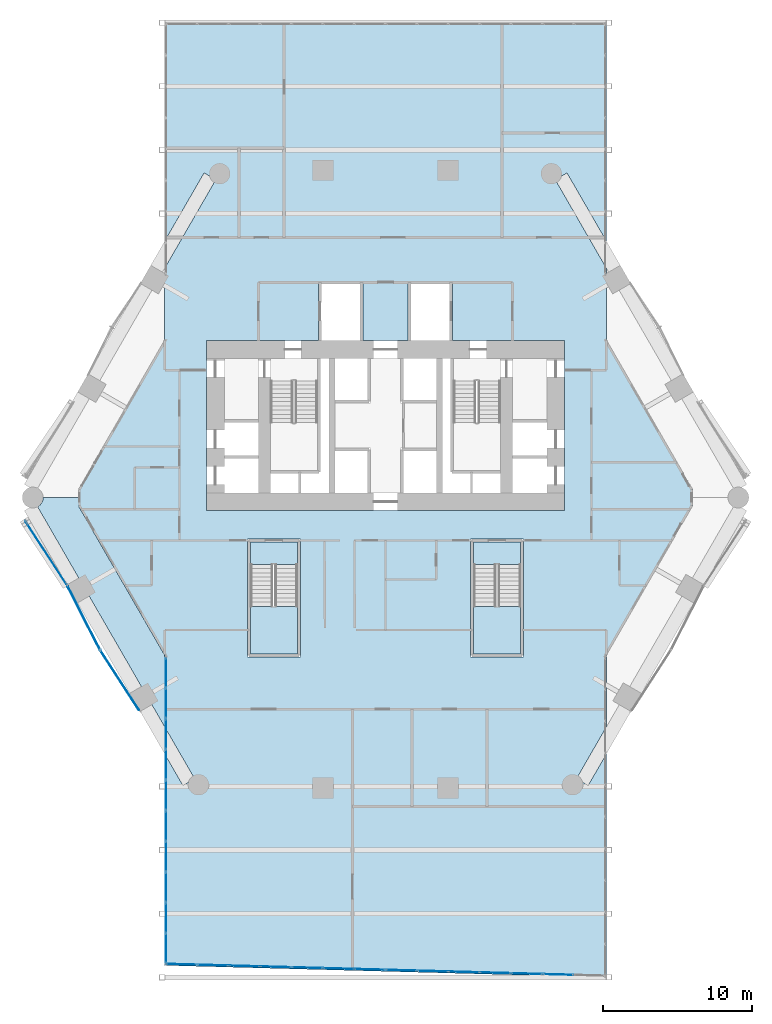
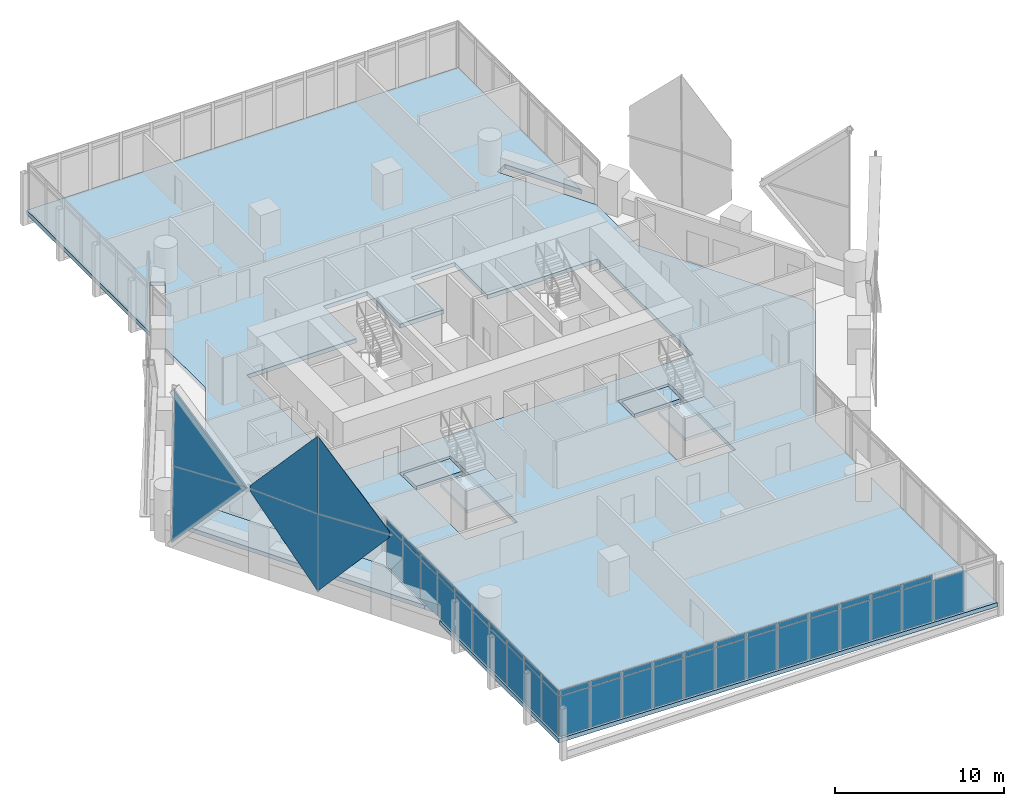
# One storey, part 23 of 35: 51 plates, 6 slabs, 8 elements without a shape of their own.
"""IFC4 building model written with IfcOpenShell, lengths in metres."""

from ifc_helpers import new_model, si_unit, direction, frame, origin, origin_2d, place, context, subcontext, project, spatial, polyline, rectangle, outline, extrude, material, layer, layer_set, type_object, element, aggregate, save


model = new_model("IFC4")

# Units and contexts
model_context = context("Model", 3, precision=1e-05, world=origin(), true_north=direction((0.0, 1.0)))
body_context = subcontext(model_context, "Body", "Model", "MODEL_VIEW")
ifc_project = project(units=[si_unit("LENGTHUNIT", "METRE"), si_unit("AREAUNIT", "SQUARE_METRE"), si_unit("VOLUMEUNIT", "CUBIC_METRE"), si_unit("PLANEANGLEUNIT", "RADIAN"), si_unit("MASSUNIT", "GRAM", prefix="KILO")], contexts=[model_context])

# Site, building, storey
site_placement = place(None, origin())
site = spatial("IfcSite", under=ifc_project, at=site_placement, CompositionType="ELEMENT")
building_placement = place(site_placement, origin())
building = spatial("IfcBuilding", under=site, at=building_placement, Name="Ostrander Bayou Hotel Tower", CompositionType="ELEMENT")
storey_placement = place(building_placement, frame((0.0, 0.0, 69.25)))
storey = spatial("IfcBuildingStorey", under=building, at=storey_placement, Name="L17", CompositionType="ELEMENT", Elevation=69.25)

# Curtain wall, plates
ifc_material_1 = material(Name="Aluminium and clear glass", Category="aluminium")
curtain_wall_type_1 = type_object("IfcCurtainWallType", Name="CW-BAR glazed wall", PredefinedType="NOTDEFINED", material=ifc_material_1)
curtain_wall_1_placement = place(storey_placement, origin())
curtain_wall_1 = element("IfcCurtainWall", 1, at=curtain_wall_1_placement, inside=storey, type_object=curtain_wall_type_1, Name="CW-BAR L17:SB1S:E", PredefinedType="NOTDEFINED")
ifc_material_2 = material(Name="Clear laminated glass", Category="glass")
ifc_layer_1 = layer(ifc_material_2, 0.028076171875)
ifc_layer_set_1 = layer_set([ifc_layer_1], Name="CW-BR glazing panel 28 mm")
plate_type_1 = type_object("IfcPlateType", Name="CW-BR glazing panel 28 mm", PredefinedType="CURTAIN_PANEL", material=ifc_layer_set_1)
plate_1_placement = place(storey_placement, frame((-14.712158203125, -12.559326171875, 0.06005859375), z_axis=(0.0, 0.0, 1.0), x_axis=(0.0, -1.0, 0.0)))
plate_1 = element("IfcPlate", 2, at=plate_1_placement, type_object=plate_type_1, Name="CW-BAR panel 1.1", PredefinedType="CURTAIN_PANEL", context=body_context, shape_type="SweptSolid", body=[
    extrude(rectangle(XDim=1.96337890625, YDim=0.028076171875, at=origin_2d()), origin(), (0.0, 0.0, 1.0), 2.909912109375),
])
plate_2_placement = place(storey_placement, frame((-14.712158203125, -12.559326171875, 3.02978515625), z_axis=(0.0, 0.0, 1.0), x_axis=(0.0, -1.0, 0.0)))
plate_2 = element("IfcPlate", 3, at=plate_2_placement, type_object=plate_type_1, Name="CW-BAR panel 1.2", PredefinedType="CURTAIN_PANEL", context=body_context, shape_type="SweptSolid", body=[
    extrude(rectangle(XDim=1.96337890625, YDim=0.028076171875, at=origin_2d()), origin(), (0.0, 0.0, 1.0), 0.360107421875),
])
plate_3_placement = place(storey_placement, frame((-14.712158203125, -14.597900390625, 0.06005859375), z_axis=(0.0, 0.0, 1.0), x_axis=(0.0, -1.0, 0.0)))
plate_3 = element("IfcPlate", 4, at=plate_3_placement, type_object=plate_type_1, Name="CW-BAR panel 2.1", PredefinedType="CURTAIN_PANEL", context=body_context, shape_type="SweptSolid", body=[
    extrude(rectangle(XDim=1.993408203125, YDim=0.028076171875, at=origin_2d()), origin(), (0.0, 0.0, 1.0), 2.909912109375),
])
plate_4_placement = place(storey_placement, frame((-14.712158203125, -14.597900390625, 3.02978515625), z_axis=(0.0, 0.0, 1.0), x_axis=(0.0, -1.0, 0.0)))
plate_4 = element("IfcPlate", 5, at=plate_4_placement, type_object=plate_type_1, Name="CW-BAR panel 2.2", PredefinedType="CURTAIN_PANEL", context=body_context, shape_type="SweptSolid", body=[
    extrude(rectangle(XDim=1.993408203125, YDim=0.028076171875, at=origin_2d()), origin(), (0.0, 0.0, 1.0), 0.360107421875),
])
plate_5_placement = place(storey_placement, frame((-14.712158203125, -16.6513671875, 0.06005859375), z_axis=(0.0, 0.0, 1.0), x_axis=(0.0, -1.0, 0.0)))
plate_5 = element("IfcPlate", 6, at=plate_5_placement, type_object=plate_type_1, Name="CW-BAR panel 3.1", PredefinedType="CURTAIN_PANEL", context=body_context, shape_type="SweptSolid", body=[
    extrude(rectangle(XDim=1.993408203125, YDim=0.028076171875, at=origin_2d()), origin(), (0.0, 0.0, 1.0), 2.909912109375),
])
plate_6_placement = place(storey_placement, frame((-14.712158203125, -16.6513671875, 3.02978515625), z_axis=(0.0, 0.0, 1.0), x_axis=(0.0, -1.0, 0.0)))
plate_6 = element("IfcPlate", 7, at=plate_6_placement, type_object=plate_type_1, Name="CW-BAR panel 3.2", PredefinedType="CURTAIN_PANEL", context=body_context, shape_type="SweptSolid", body=[
    extrude(rectangle(XDim=1.993408203125, YDim=0.028076171875, at=origin_2d()), origin(), (0.0, 0.0, 1.0), 0.360107421875),
])
plate_7_placement = place(storey_placement, frame((-14.712158203125, -18.70458984375, 0.06005859375), z_axis=(0.0, 0.0, 1.0), x_axis=(0.0, -1.0, 0.0)))
plate_7 = element("IfcPlate", 8, at=plate_7_placement, type_object=plate_type_1, Name="CW-BAR panel 4.1", PredefinedType="CURTAIN_PANEL", context=body_context, shape_type="SweptSolid", body=[
    extrude(rectangle(XDim=1.993408203125, YDim=0.028076171875, at=origin_2d()), origin(), (0.0, 0.0, 1.0), 2.909912109375),
])
plate_8_placement = place(storey_placement, frame((-14.712158203125, -18.70458984375, 3.02978515625), z_axis=(0.0, 0.0, 1.0), x_axis=(0.0, -1.0, 0.0)))
plate_8 = element("IfcPlate", 9, at=plate_8_placement, type_object=plate_type_1, Name="CW-BAR panel 4.2", PredefinedType="CURTAIN_PANEL", context=body_context, shape_type="SweptSolid", body=[
    extrude(rectangle(XDim=1.993408203125, YDim=0.028076171875, at=origin_2d()), origin(), (0.0, 0.0, 1.0), 0.360107421875),
])
plate_9_placement = place(storey_placement, frame((-14.712158203125, -20.758056640625, 0.06005859375), z_axis=(0.0, 0.0, 1.0), x_axis=(0.0, -1.0, 0.0)))
plate_9 = element("IfcPlate", 10, at=plate_9_placement, type_object=plate_type_1, Name="CW-BAR panel 5.1", PredefinedType="CURTAIN_PANEL", context=body_context, shape_type="SweptSolid", body=[
    extrude(rectangle(XDim=1.993408203125, YDim=0.028076171875, at=origin_2d()), origin(), (0.0, 0.0, 1.0), 2.909912109375),
])
plate_10_placement = place(storey_placement, frame((-14.712158203125, -20.758056640625, 3.02978515625), z_axis=(0.0, 0.0, 1.0), x_axis=(0.0, -1.0, 0.0)))
plate_10 = element("IfcPlate", 11, at=plate_10_placement, type_object=plate_type_1, Name="CW-BAR panel 5.2", PredefinedType="CURTAIN_PANEL", context=body_context, shape_type="SweptSolid", body=[
    extrude(rectangle(XDim=1.993408203125, YDim=0.028076171875, at=origin_2d()), origin(), (0.0, 0.0, 1.0), 0.360107421875),
])
plate_11_placement = place(storey_placement, frame((-14.712158203125, -22.8115234375, 0.06005859375), z_axis=(0.0, 0.0, 1.0), x_axis=(0.0, -1.0, 0.0)))
plate_11 = element("IfcPlate", 12, at=plate_11_placement, type_object=plate_type_1, Name="CW-BAR panel 6.1", PredefinedType="CURTAIN_PANEL", context=body_context, shape_type="SweptSolid", body=[
    extrude(rectangle(XDim=1.993408203125, YDim=0.028076171875, at=origin_2d()), origin(), (0.0, 0.0, 1.0), 2.909912109375),
])
plate_12_placement = place(storey_placement, frame((-14.712158203125, -22.8115234375, 3.02978515625), z_axis=(0.0, 0.0, 1.0), x_axis=(0.0, -1.0, 0.0)))
plate_12 = element("IfcPlate", 13, at=plate_12_placement, type_object=plate_type_1, Name="CW-BAR panel 6.2", PredefinedType="CURTAIN_PANEL", context=body_context, shape_type="SweptSolid", body=[
    extrude(rectangle(XDim=1.993408203125, YDim=0.028076171875, at=origin_2d()), origin(), (0.0, 0.0, 1.0), 0.360107421875),
])
plate_13_placement = place(storey_placement, frame((-14.712158203125, -24.864990234375, 0.06005859375), z_axis=(0.0, 0.0, 1.0), x_axis=(0.0, -1.0, 0.0)))
plate_13 = element("IfcPlate", 14, at=plate_13_placement, type_object=plate_type_1, Name="CW-BAR panel 7.1", PredefinedType="CURTAIN_PANEL", context=body_context, shape_type="SweptSolid", body=[
    extrude(rectangle(XDim=1.993408203125, YDim=0.028076171875, at=origin_2d()), origin(), (0.0, 0.0, 1.0), 2.909912109375),
])
plate_14_placement = place(storey_placement, frame((-14.712158203125, -24.864990234375, 3.02978515625), z_axis=(0.0, 0.0, 1.0), x_axis=(0.0, -1.0, 0.0)))
plate_14 = element("IfcPlate", 15, at=plate_14_placement, type_object=plate_type_1, Name="CW-BAR panel 7.2", PredefinedType="CURTAIN_PANEL", context=body_context, shape_type="SweptSolid", body=[
    extrude(rectangle(XDim=1.993408203125, YDim=0.028076171875, at=origin_2d()), origin(), (0.0, 0.0, 1.0), 0.360107421875),
])
plate_15_placement = place(storey_placement, frame((-14.712158203125, -26.91845703125, 0.06005859375), z_axis=(0.0, 0.0, 1.0), x_axis=(0.0, -1.0, 0.0)))
plate_15 = element("IfcPlate", 16, at=plate_15_placement, type_object=plate_type_1, Name="CW-BAR panel 8.1", PredefinedType="CURTAIN_PANEL", context=body_context, shape_type="SweptSolid", body=[
    extrude(rectangle(XDim=1.993408203125, YDim=0.028076171875, at=origin_2d()), origin(), (0.0, 0.0, 1.0), 2.909912109375),
])
plate_16_placement = place(storey_placement, frame((-14.712158203125, -26.91845703125, 3.02978515625), z_axis=(0.0, 0.0, 1.0), x_axis=(0.0, -1.0, 0.0)))
plate_16 = element("IfcPlate", 17, at=plate_16_placement, type_object=plate_type_1, Name="CW-BAR panel 8.2", PredefinedType="CURTAIN_PANEL", context=body_context, shape_type="SweptSolid", body=[
    extrude(rectangle(XDim=1.993408203125, YDim=0.028076171875, at=origin_2d()), origin(), (0.0, 0.0, 1.0), 0.360107421875),
])
plate_17_placement = place(storey_placement, frame((-14.712158203125, -28.971923828125, 0.06005859375), z_axis=(0.0, 0.0, 1.0), x_axis=(0.0, -1.0, 0.0)))
plate_17 = element("IfcPlate", 18, at=plate_17_placement, type_object=plate_type_1, Name="CW-BAR panel 9.1", PredefinedType="CURTAIN_PANEL", context=body_context, shape_type="SweptSolid", body=[
    extrude(rectangle(XDim=1.993408203125, YDim=0.028076171875, at=origin_2d()), origin(), (0.0, 0.0, 1.0), 2.909912109375),
])
plate_18_placement = place(storey_placement, frame((-14.712158203125, -28.971923828125, 3.02978515625), z_axis=(0.0, 0.0, 1.0), x_axis=(0.0, -1.0, 0.0)))
plate_18 = element("IfcPlate", 19, at=plate_18_placement, type_object=plate_type_1, Name="CW-BAR panel 9.2", PredefinedType="CURTAIN_PANEL", context=body_context, shape_type="SweptSolid", body=[
    extrude(rectangle(XDim=1.993408203125, YDim=0.028076171875, at=origin_2d()), origin(), (0.0, 0.0, 1.0), 0.360107421875),
])
plate_19_placement = place(storey_placement, frame((-14.712158203125, -31.01025390625, 0.06005859375), z_axis=(0.0, 0.0, 1.0), x_axis=(0.0, -1.0, 0.0)))
plate_19 = element("IfcPlate", 20, at=plate_19_placement, type_object=plate_type_1, Name="CW-BAR panel 10.1", PredefinedType="CURTAIN_PANEL", context=body_context, shape_type="SweptSolid", body=[
    extrude(rectangle(XDim=1.96337890625, YDim=0.028076171875, at=origin_2d()), origin(), (0.0, 0.0, 1.0), 2.909912109375),
])
plate_20_placement = place(storey_placement, frame((-14.712158203125, -31.01025390625, 3.02978515625), z_axis=(0.0, 0.0, 1.0), x_axis=(0.0, -1.0, 0.0)))
plate_20 = element("IfcPlate", 21, at=plate_20_placement, type_object=plate_type_1, Name="CW-BAR panel 10.2", PredefinedType="CURTAIN_PANEL", context=body_context, shape_type="SweptSolid", body=[
    extrude(rectangle(XDim=1.96337890625, YDim=0.028076171875, at=origin_2d()), origin(), (0.0, 0.0, 1.0), 0.360107421875),
])
aggregate(curtain_wall_1, [plate_1, plate_2, plate_3, plate_4, plate_5, plate_6, plate_7, plate_8, plate_9, plate_10, plate_11, plate_12, plate_13, plate_14, plate_15, plate_16, plate_17, plate_18, plate_19, plate_20])

curtain_wall_2_placement = place(storey_placement, origin())
curtain_wall_2 = element("IfcCurtainWall", 22, at=curtain_wall_2_placement, inside=storey, type_object=curtain_wall_type_1, Name="CW-BAR L17:SB1S:T", PredefinedType="NOTDEFINED")
plate_21_placement = place(storey_placement, frame((-13.646240234375, -32.080810546875, 0.06005859375), z_axis=(0.0, 0.0, 1.0), x_axis=(0.999634285133, -0.027042484848, 0.0)))
plate_21 = element("IfcPlate", 23, at=plate_21_placement, type_object=plate_type_1, Name="CW-BAR panel 1.1", PredefinedType="CURTAIN_PANEL", context=body_context, shape_type="SweptSolid", body=[
    extrude(rectangle(XDim=2.012451171875, YDim=0.028076171875, at=origin_2d()), origin(), (0.0, 0.0, 1.0), 2.909912109375),
])
plate_22_placement = place(storey_placement, frame((-13.646240234375, -32.080810546875, 3.02978515625), z_axis=(0.0, 0.0, 1.0), x_axis=(0.999634285133, -0.027042484848, 0.0)))
plate_22 = element("IfcPlate", 24, at=plate_22_placement, type_object=plate_type_1, Name="CW-BAR panel 1.2", PredefinedType="CURTAIN_PANEL", context=body_context, shape_type="SweptSolid", body=[
    extrude(rectangle(XDim=2.012451171875, YDim=0.028076171875, at=origin_2d()), origin(), (0.0, 0.0, 1.0), 0.360107421875),
])
plate_23_placement = place(storey_placement, frame((-11.5595703125, -32.13720703125, 0.06005859375), z_axis=(0.0, 0.0, 1.0), x_axis=(0.999634285133, -0.027042484848, 0.0)))
plate_23 = element("IfcPlate", 25, at=plate_23_placement, type_object=plate_type_1, Name="CW-BAR panel 2.1", PredefinedType="CURTAIN_PANEL", context=body_context, shape_type="SweptSolid", body=[
    extrude(rectangle(XDim=2.04248046875, YDim=0.028076171875, at=origin_2d()), origin(), (0.0, 0.0, 1.0), 2.909912109375),
])
plate_24_placement = place(storey_placement, frame((-11.5595703125, -32.13720703125, 3.02978515625), z_axis=(0.0, 0.0, 1.0), x_axis=(0.999634285133, -0.027042484848, 0.0)))
plate_24 = element("IfcPlate", 26, at=plate_24_placement, type_object=plate_type_1, Name="CW-BAR panel 2.2", PredefinedType="CURTAIN_PANEL", context=body_context, shape_type="SweptSolid", body=[
    extrude(rectangle(XDim=2.04248046875, YDim=0.028076171875, at=origin_2d()), origin(), (0.0, 0.0, 1.0), 0.360107421875),
])
plate_25_placement = place(storey_placement, frame((-9.457763671875, -32.194091796875, 0.06005859375), z_axis=(0.0, 0.0, 1.0), x_axis=(0.999634285133, -0.027042484848, 0.0)))
plate_25 = element("IfcPlate", 27, at=plate_25_placement, type_object=plate_type_1, Name="CW-BAR panel 3.1", PredefinedType="CURTAIN_PANEL", context=body_context, shape_type="SweptSolid", body=[
    extrude(rectangle(XDim=2.04248046875, YDim=0.028076171875, at=origin_2d()), origin(), (0.0, 0.0, 1.0), 2.909912109375),
])
plate_26_placement = place(storey_placement, frame((-9.457763671875, -32.194091796875, 3.02978515625), z_axis=(0.0, 0.0, 1.0), x_axis=(0.999634285133, -0.027042484848, 0.0)))
plate_26 = element("IfcPlate", 28, at=plate_26_placement, type_object=plate_type_1, Name="CW-BAR panel 3.2", PredefinedType="CURTAIN_PANEL", context=body_context, shape_type="SweptSolid", body=[
    extrude(rectangle(XDim=2.04248046875, YDim=0.028076171875, at=origin_2d()), origin(), (0.0, 0.0, 1.0), 0.360107421875),
])
plate_27_placement = place(storey_placement, frame((-7.356201171875, -32.2509765625, 0.06005859375), z_axis=(0.0, 0.0, 1.0), x_axis=(0.999634285133, -0.027042484848, 0.0)))
plate_27 = element("IfcPlate", 29, at=plate_27_placement, type_object=plate_type_1, Name="CW-BAR panel 4.1", PredefinedType="CURTAIN_PANEL", context=body_context, shape_type="SweptSolid", body=[
    extrude(rectangle(XDim=2.04248046875, YDim=0.028076171875, at=origin_2d()), origin(), (0.0, 0.0, 1.0), 2.909912109375),
])
plate_28_placement = place(storey_placement, frame((-7.356201171875, -32.2509765625, 3.02978515625), z_axis=(0.0, 0.0, 1.0), x_axis=(0.999634285133, -0.027042484848, 0.0)))
plate_28 = element("IfcPlate", 30, at=plate_28_placement, type_object=plate_type_1, Name="CW-BAR panel 4.2", PredefinedType="CURTAIN_PANEL", context=body_context, shape_type="SweptSolid", body=[
    extrude(rectangle(XDim=2.04248046875, YDim=0.028076171875, at=origin_2d()), origin(), (0.0, 0.0, 1.0), 0.360107421875),
])
plate_29_placement = place(storey_placement, frame((-5.25439453125, -32.307861328125, 0.06005859375), z_axis=(0.0, 0.0, 1.0), x_axis=(0.999634285133, -0.027042484848, 0.0)))
plate_29 = element("IfcPlate", 31, at=plate_29_placement, type_object=plate_type_1, Name="CW-BAR panel 5.1", PredefinedType="CURTAIN_PANEL", context=body_context, shape_type="SweptSolid", body=[
    extrude(rectangle(XDim=2.04248046875, YDim=0.028076171875, at=origin_2d()), origin(), (0.0, 0.0, 1.0), 2.909912109375),
])
plate_30_placement = place(storey_placement, frame((-5.25439453125, -32.307861328125, 3.02978515625), z_axis=(0.0, 0.0, 1.0), x_axis=(0.999634285133, -0.027042484848, 0.0)))
plate_30 = element("IfcPlate", 32, at=plate_30_placement, type_object=plate_type_1, Name="CW-BAR panel 5.2", PredefinedType="CURTAIN_PANEL", context=body_context, shape_type="SweptSolid", body=[
    extrude(rectangle(XDim=2.04248046875, YDim=0.028076171875, at=origin_2d()), origin(), (0.0, 0.0, 1.0), 0.360107421875),
])
plate_31_placement = place(storey_placement, frame((-3.152587890625, -32.36474609375, 0.06005859375), z_axis=(0.0, 0.0, 1.0), x_axis=(0.999634285133, -0.027042484848, 0.0)))
plate_31 = element("IfcPlate", 33, at=plate_31_placement, type_object=plate_type_1, Name="CW-BAR panel 6.1", PredefinedType="CURTAIN_PANEL", context=body_context, shape_type="SweptSolid", body=[
    extrude(rectangle(XDim=2.04248046875, YDim=0.028076171875, at=origin_2d()), origin(), (0.0, 0.0, 1.0), 2.909912109375),
])
plate_32_placement = place(storey_placement, frame((-3.152587890625, -32.36474609375, 3.02978515625), z_axis=(0.0, 0.0, 1.0), x_axis=(0.999634285133, -0.027042484848, 0.0)))
plate_32 = element("IfcPlate", 34, at=plate_32_placement, type_object=plate_type_1, Name="CW-BAR panel 6.2", PredefinedType="CURTAIN_PANEL", context=body_context, shape_type="SweptSolid", body=[
    extrude(rectangle(XDim=2.04248046875, YDim=0.028076171875, at=origin_2d()), origin(), (0.0, 0.0, 1.0), 0.360107421875),
])
plate_33_placement = place(storey_placement, frame((-1.05078125, -32.421630859375, 0.06005859375), z_axis=(0.0, 0.0, 1.0), x_axis=(0.999634285133, -0.027042484848, 0.0)))
plate_33 = element("IfcPlate", 35, at=plate_33_placement, type_object=plate_type_1, Name="CW-BAR panel 7.1", PredefinedType="CURTAIN_PANEL", context=body_context, shape_type="SweptSolid", body=[
    extrude(rectangle(XDim=2.04248046875, YDim=0.028076171875, at=origin_2d()), origin(), (0.0, 0.0, 1.0), 2.909912109375),
])
plate_34_placement = place(storey_placement, frame((-1.05078125, -32.421630859375, 3.02978515625), z_axis=(0.0, 0.0, 1.0), x_axis=(0.999634285133, -0.027042484848, 0.0)))
plate_34 = element("IfcPlate", 36, at=plate_34_placement, type_object=plate_type_1, Name="CW-BAR panel 7.2", PredefinedType="CURTAIN_PANEL", context=body_context, shape_type="SweptSolid", body=[
    extrude(rectangle(XDim=2.04248046875, YDim=0.028076171875, at=origin_2d()), origin(), (0.0, 0.0, 1.0), 0.360107421875),
])
plate_35_placement = place(storey_placement, frame((1.05078125, -32.478515625, 0.06005859375), z_axis=(0.0, 0.0, 1.0), x_axis=(0.999634285133, -0.027042484848, 0.0)))
plate_35 = element("IfcPlate", 37, at=plate_35_placement, type_object=plate_type_1, Name="CW-BAR panel 8.1", PredefinedType="CURTAIN_PANEL", context=body_context, shape_type="SweptSolid", body=[
    extrude(rectangle(XDim=2.04248046875, YDim=0.028076171875, at=origin_2d()), origin(), (0.0, 0.0, 1.0), 2.909912109375),
])
plate_36_placement = place(storey_placement, frame((1.05078125, -32.478515625, 3.02978515625), z_axis=(0.0, 0.0, 1.0), x_axis=(0.999634285133, -0.027042484848, 0.0)))
plate_36 = element("IfcPlate", 38, at=plate_36_placement, type_object=plate_type_1, Name="CW-BAR panel 8.2", PredefinedType="CURTAIN_PANEL", context=body_context, shape_type="SweptSolid", body=[
    extrude(rectangle(XDim=2.04248046875, YDim=0.028076171875, at=origin_2d()), origin(), (0.0, 0.0, 1.0), 0.360107421875),
])
plate_37_placement = place(storey_placement, frame((3.152587890625, -32.535400390625, 0.06005859375), z_axis=(0.0, 0.0, 1.0), x_axis=(0.999634285133, -0.027042484848, 0.0)))
plate_37 = element("IfcPlate", 39, at=plate_37_placement, type_object=plate_type_1, Name="CW-BAR panel 9.1", PredefinedType="CURTAIN_PANEL", context=body_context, shape_type="SweptSolid", body=[
    extrude(rectangle(XDim=2.04248046875, YDim=0.028076171875, at=origin_2d()), origin(), (0.0, 0.0, 1.0), 2.909912109375),
])
plate_38_placement = place(storey_placement, frame((3.152587890625, -32.535400390625, 3.02978515625), z_axis=(0.0, 0.0, 1.0), x_axis=(0.999634285133, -0.027042484848, 0.0)))
plate_38 = element("IfcPlate", 40, at=plate_38_placement, type_object=plate_type_1, Name="CW-BAR panel 9.2", PredefinedType="CURTAIN_PANEL", context=body_context, shape_type="SweptSolid", body=[
    extrude(rectangle(XDim=2.04248046875, YDim=0.028076171875, at=origin_2d()), origin(), (0.0, 0.0, 1.0), 0.360107421875),
])
plate_39_placement = place(storey_placement, frame((5.25439453125, -32.592041015625, 0.06005859375), z_axis=(0.0, 0.0, 1.0), x_axis=(0.999634285133, -0.027042484848, 0.0)))
plate_39 = element("IfcPlate", 41, at=plate_39_placement, type_object=plate_type_1, Name="CW-BAR panel 10.1", PredefinedType="CURTAIN_PANEL", context=body_context, shape_type="SweptSolid", body=[
    extrude(rectangle(XDim=2.04248046875, YDim=0.028076171875, at=origin_2d()), origin(), (0.0, 0.0, 1.0), 2.909912109375),
])
plate_40_placement = place(storey_placement, frame((5.25439453125, -32.592041015625, 3.02978515625), z_axis=(0.0, 0.0, 1.0), x_axis=(0.999634285133, -0.027042484848, 0.0)))
plate_40 = element("IfcPlate", 42, at=plate_40_placement, type_object=plate_type_1, Name="CW-BAR panel 10.2", PredefinedType="CURTAIN_PANEL", context=body_context, shape_type="SweptSolid", body=[
    extrude(rectangle(XDim=2.04248046875, YDim=0.028076171875, at=origin_2d()), origin(), (0.0, 0.0, 1.0), 0.360107421875),
])
plate_41_placement = place(storey_placement, frame((7.356201171875, -32.64892578125, 0.06005859375), z_axis=(0.0, 0.0, 1.0), x_axis=(0.999634285133, -0.027042484848, 0.0)))
plate_41 = element("IfcPlate", 43, at=plate_41_placement, type_object=plate_type_1, Name="CW-BAR panel 11.1", PredefinedType="CURTAIN_PANEL", context=body_context, shape_type="SweptSolid", body=[
    extrude(rectangle(XDim=2.04248046875, YDim=0.028076171875, at=origin_2d()), origin(), (0.0, 0.0, 1.0), 2.909912109375),
])
plate_42_placement = place(storey_placement, frame((7.356201171875, -32.64892578125, 3.02978515625), z_axis=(0.0, 0.0, 1.0), x_axis=(0.999634285133, -0.027042484848, 0.0)))
plate_42 = element("IfcPlate", 44, at=plate_42_placement, type_object=plate_type_1, Name="CW-BAR panel 11.2", PredefinedType="CURTAIN_PANEL", context=body_context, shape_type="SweptSolid", body=[
    extrude(rectangle(XDim=2.04248046875, YDim=0.028076171875, at=origin_2d()), origin(), (0.0, 0.0, 1.0), 0.360107421875),
])
plate_43_placement = place(storey_placement, frame((9.457763671875, -32.705810546875, 0.06005859375), z_axis=(0.0, 0.0, 1.0), x_axis=(0.999634285133, -0.027042484848, 0.0)))
plate_43 = element("IfcPlate", 45, at=plate_43_placement, type_object=plate_type_1, Name="CW-BAR panel 12.1", PredefinedType="CURTAIN_PANEL", context=body_context, shape_type="SweptSolid", body=[
    extrude(rectangle(XDim=2.04248046875, YDim=0.028076171875, at=origin_2d()), origin(), (0.0, 0.0, 1.0), 2.909912109375),
])
plate_44_placement = place(storey_placement, frame((9.457763671875, -32.705810546875, 3.02978515625), z_axis=(0.0, 0.0, 1.0), x_axis=(0.999634285133, -0.027042484848, 0.0)))
plate_44 = element("IfcPlate", 46, at=plate_44_placement, type_object=plate_type_1, Name="CW-BAR panel 12.2", PredefinedType="CURTAIN_PANEL", context=body_context, shape_type="SweptSolid", body=[
    extrude(rectangle(XDim=2.04248046875, YDim=0.028076171875, at=origin_2d()), origin(), (0.0, 0.0, 1.0), 0.360107421875),
])
plate_45_placement = place(storey_placement, frame((11.5595703125, -32.7626953125, 0.06005859375), z_axis=(0.0, 0.0, 1.0), x_axis=(0.999634285133, -0.027042484848, 0.0)))
plate_45 = element("IfcPlate", 47, at=plate_45_placement, type_object=plate_type_1, Name="CW-BAR panel 13.1", PredefinedType="CURTAIN_PANEL", context=body_context, shape_type="SweptSolid", body=[
    extrude(rectangle(XDim=2.04248046875, YDim=0.028076171875, at=origin_2d()), origin(), (0.0, 0.0, 1.0), 2.909912109375),
])
aggregate(curtain_wall_2, [plate_21, plate_22, plate_23, plate_24, plate_25, plate_26, plate_27, plate_28, plate_29, plate_30, plate_31, plate_32, plate_33, plate_34, plate_35, plate_36, plate_37, plate_38, plate_39, plate_40, plate_41, plate_42, plate_43, plate_44, plate_45])

# Curtain wall, plate
ifc_material_3 = material(Name="Aluminium and clear glass", Category="aluminium")
curtain_wall_type_2 = type_object("IfcCurtainWallType", Name="CW-LAT lattice glazing", PredefinedType="NOTDEFINED", material=ifc_material_3)
curtain_wall_3_placement = place(storey_placement, origin())
curtain_wall_3 = element("IfcCurtainWall", 48, at=curtain_wall_3_placement, inside=storey, type_object=curtain_wall_type_2, Name="CW-LAT L17 SW 3", PredefinedType="NOTDEFINED")
ifc_material_4 = material(Name="Clear laminated glass", Category="glass")
ifc_layer_2 = layer(ifc_material_4, 0.028076171875)
ifc_layer_set_2 = layer_set([ifc_layer_2], Name="CW-LA glazing panel 28 mm")
plate_type_2 = type_object("IfcPlateType", Name="CW-LA glazing panel 28 mm", PredefinedType="CURTAIN_PANEL", material=ifc_layer_set_2)
plate_46_placement = place(storey_placement, frame((-21.364013671875, -6.6123046875, 5.02490234375), z_axis=(0.838405084401, 0.545046938744, 0.000865457383), x_axis=(-0.36385682434, 0.560874659501, -0.743658407947)))
plate_46 = element("IfcPlate", 49, at=plate_46_placement, type_object=plate_type_2, Name="CW-LAT panel 1", PredefinedType="CURTAIN_PANEL", context=body_context, shape_type="SweptSolid", body=[
    extrude(outline(polyline([(0.0, 0.0), (7.5639567036234325, 4.440892098500626e-16), (3.317772388690842, 3.690457447971882), (0.0, 0.0)])), origin(), (0.0, 0.0, -1.0), 0.028076171875),
])

curtain_wall_4_placement = place(storey_placement, origin())
curtain_wall_4 = element("IfcCurtainWall", 50, at=curtain_wall_4_placement, inside=storey, type_object=curtain_wall_type_2, Name="CW-LAT L17 SW 4", PredefinedType="NOTDEFINED")
plate_47_placement = place(storey_placement, frame((-21.364013671875, -6.6123046875, 5.02490234375), z_axis=(0.838405084401, 0.545046938744, 0.000865457383), x_axis=(-0.357231282887, 0.548301611685, 0.756142283668)))
plate_47 = element("IfcPlate", 51, at=plate_47_placement, type_object=plate_type_2, Name="CW-LAT panel 2", PredefinedType="CURTAIN_PANEL", context=body_context, shape_type="SweptSolid", body=[
    extrude(outline(polyline([(0.0, 0.0), (7.439076112391407, 0.0), (3.247539416369801, -3.7524095642100375), (0.0, 0.0)])), origin(), (0.0, 0.0, -1.0), 0.028076171875),
])

curtain_wall_5_placement = place(storey_placement, origin())
curtain_wall_5 = element("IfcCurtainWall", 52, at=curtain_wall_5_placement, inside=storey, type_object=curtain_wall_type_2, Name="CW-LAT L17 SW 1", PredefinedType="NOTDEFINED")
plate_48_placement = place(storey_placement, frame((-21.275634765625, -6.78564453125, 4.804443359375), z_axis=(-0.891240267948, -0.453531459535, 0.0), x_axis=(0.300034418818, -0.589601339001, -0.749899732346)))
plate_48 = element("IfcPlate", 53, at=plate_48_placement, type_object=plate_type_2, Name="CW-LAT panel 3", PredefinedType="CURTAIN_PANEL", context=body_context, shape_type="SweptSolid", body=[
    extrude(outline(polyline([(0.0, 0.0), (7.207018195246423, -4.440892098500626e-16), (2.988832200802549, 3.7212272056779256), (-0.16532213337599036, 0.14584497251419995), (0.0, 0.0)])), origin(), (0.0, 0.0, -1.0), 0.028076171875),
])
aggregate(curtain_wall_5, [plate_48])

curtain_wall_6_placement = place(storey_placement, origin())
curtain_wall_6 = element("IfcCurtainWall", 54, at=curtain_wall_6_placement, inside=storey, type_object=curtain_wall_type_2, Name="CW-LAT L17 SW 2", PredefinedType="NOTDEFINED")
plate_49_placement = place(storey_placement, frame((-21.275634765625, -6.78564453125, 5.24560546875), z_axis=(0.891240267948, 0.453531459535, 0.0), x_axis=(0.300042040757, -0.589616316967, 0.749884906199)))
plate_49 = element("IfcPlate", 55, at=plate_49_placement, type_object=plate_type_2, Name="CW-LAT panel 4", PredefinedType="CURTAIN_PANEL", context=body_context, shape_type="SweptSolid", body=[
    extrude(outline(polyline([(0.0, 0.0), (7.206835116066891, 4.440892098500626e-16), (2.988732518700231, 3.7213217380506953), (-0.16550194218834466, 0.14601019319435019), (0.0, 0.0)])), origin(), (0.0, 0.0, -1.0), 0.028076171875),
])
aggregate(curtain_wall_6, [plate_49])

# Plate
plate_50_placement = place(storey_placement, frame((-16.513916015625, -15.033203125, 4.805419921875), z_axis=(0.838397997954, 0.545058526239, 0.0), x_axis=(-0.360596624073, 0.554662431901, -0.749879764592)))
plate_50 = element("IfcPlate", 56, at=plate_50_placement, type_object=plate_type_2, Name="CW-LAT panel 5", PredefinedType="CURTAIN_PANEL", context=body_context, shape_type="SweptSolid", body=[
    extrude(outline(polyline([(0.0, 0.0), (7.208512395406099, -4.440892098500626e-16), (2.9904387195765967, 3.721354520235098), (-0.1645854268476876, 0.14520389382340942), (0.0, 0.0)])), origin(), (0.0, 0.0, -1.0), 0.028076171875),
])

aggregate(curtain_wall_3, [plate_46, plate_50])

plate_51_placement = place(storey_placement, frame((-16.513916015625, -15.033203125, 5.24462890625), z_axis=(-0.838397997954, -0.545058526239, 0.0), x_axis=(-0.360605782364, 0.554676518999, 0.749864940504)))
plate_51 = element("IfcPlate", 57, at=plate_51_placement, type_object=plate_type_2, Name="CW-LAT panel 6", PredefinedType="CURTAIN_PANEL", context=body_context, shape_type="SweptSolid", body=[
    extrude(outline(polyline([(0.0, 0.0), (7.208329321101253, 0.0), (2.990339030766901, 3.7214490337293524), (-0.16476524571618564, 0.1453691028800528), (0.0, 0.0)])), origin(), (0.0, 0.0, -1.0), 0.028076171875),
])

aggregate(curtain_wall_4, [plate_47, plate_51])

# Slabs
ifc_material_5 = material(Name="Concrete f'c 40 MPa", Category="concrete")
ifc_layer_3 = layer(ifc_material_5, 0.300048828125)
ifc_layer_set_3 = layer_set([ifc_layer_3], Name="SL1 floor slab 300 mm f'c 40 MPa")
slab_type_1 = type_object("IfcSlabType", Name="SL1 floor slab 300 mm f'c 40 MPa", PredefinedType="FLOOR", material=ifc_layer_set_3)
slab_1_placement = place(storey_placement, frame((0.0, 0.0, -0.300048828125)))
element("IfcSlab", 58, at=slab_1_placement, inside=storey, type_object=slab_type_1, Name="SL1 L17 1", PredefinedType="FLOOR", context=body_context, shape_type="SweptSolid", body=[
    extrude(outline(polyline([(-13.5673828125, -20.100830078125), (-12.787841796875, -19.65087890625), (-14.787109375, -16.187744140625), (-14.787109375, -11.3876953125), (-20.543212890625, -1.418212890625), (-20.543212890625, -0.21826171875), (-14.787109375, 9.751220703125), (-14.787109375, 14.55126953125), (-11.37060546875, 20.468994140625), (-12.14990234375, 20.9189453125), (-14.787109375, 16.351318359375), (-14.787109375, 30.986083984375), (14.787109375, 30.986083984375), (14.787109375, 16.351318359375), (12.14990234375, 20.9189453125), (11.37060546875, 20.468994140625), (14.787109375, 14.55126953125), (14.787109375, 9.751220703125), (20.543212890625, -0.21826171875), (20.543212890625, -1.418212890625), (14.787109375, -11.3876953125), (14.787109375, -16.187744140625), (12.787841796875, -19.65087890625), (13.5673828125, -20.100830078125), (14.787109375, -17.98779296875), (14.787109375, -32.949951171875), (-14.787109375, -32.14990234375), (-14.787109375, -17.98779296875), (-13.5673828125, -20.100830078125)]), holes=[polyline([(-12.0, -1.699951171875), (12.0, -1.699951171875), (12.0, 9.699951171875), (4.5, 9.699951171875), (4.5, 13.60009765625), (1.5, 13.60009765625), (1.5, 9.699951171875), (-1.5, 9.699951171875), (-1.5, 13.60009765625), (-4.5, 13.60009765625), (-4.5, 9.699951171875), (-12.0, 9.699951171875), (-12.0, -1.699951171875)]), polyline([(9.25, -3.60009765625), (5.699951171875, -3.60009765625), (5.699951171875, -11.5), (9.25, -11.5), (9.25, -3.60009765625)]), polyline([(-5.699951171875, -3.60009765625), (-9.25, -3.60009765625), (-9.25, -11.5), (-5.699951171875, -11.5), (-5.699951171875, -3.60009765625)])]), origin(), (0.0, 0.0, 1.0), 0.300048828125),
])
slab_2_placement = place(storey_placement, frame((0.0, 0.0, -0.300048828125)))
element("IfcSlab", 59, at=slab_2_placement, inside=storey, type_object=slab_type_1, Name="cslab:L17:006", PredefinedType="FLOOR", context=body_context, shape_type="SweptSolid", body=[
    extrude(outline(polyline([(9.050048828125, -5.300048828125), (9.050048828125, -3.800048828125), (5.89990234375, -3.800048828125), (5.89990234375, -5.300048828125), (9.050048828125, -5.300048828125)])), origin(), (0.0, 0.0, 1.0), 0.300048828125),
])
slab_3_placement = place(storey_placement, frame((0.0, 0.0, -0.300048828125)))
element("IfcSlab", 60, at=slab_3_placement, inside=storey, type_object=slab_type_1, Name="cslab:L17:007", PredefinedType="FLOOR", context=body_context, shape_type="SweptSolid", body=[
    extrude(outline(polyline([(-5.89990234375, -5.300048828125), (-5.89990234375, -3.800048828125), (-9.050048828125, -3.800048828125), (-9.050048828125, -5.300048828125), (-5.89990234375, -5.300048828125)])), origin(), (0.0, 0.0, 1.0), 0.300048828125),
])
ifc_material_6 = material(Name="Concrete f'c 40 MPa", Category="concrete")
ifc_layer_4 = layer(ifc_material_6, 0.300048828125)
ifc_layer_set_4 = layer_set([ifc_layer_4], Name="SL4 loggia slab 300 mm f'c 40 MPa")
slab_type_2 = type_object("IfcSlabType", Name="SL4 loggia slab 300 mm f'c 40 MPa", PredefinedType="FLOOR", material=ifc_layer_set_4)
slab_4_placement = place(storey_placement, frame((0.0, 0.0, -0.300048828125)))
element("IfcSlab", 61, at=slab_4_placement, inside=storey, type_object=slab_type_2, Name="SL4 LOGGIA L17 SW 1", PredefinedType="FLOOR", context=body_context, shape_type="SweptSolid", body=[
    extrude(outline(polyline([(-14.787109375, -16.187744140625), (-15.667236328125, -14.66357421875), (-16.337158203125, -13.503173828125), (-19.862548828125, -7.39697265625), (-20.53271484375, -6.236328125), (-23.227783203125, -1.568359375), (-23.227783203125, -1.390380859375), (-23.1337890625, -1.313232421875), (-23.046630859375, -1.207275390625), (-22.982177734375, -1.086181640625), (-22.942138671875, -0.954833984375), (-22.9287109375, -0.818359375), (-20.543212890625, -0.818359375), (-20.543212890625, -1.418212890625), (-14.787109375, -11.3876953125), (-14.787109375, -16.187744140625)])), origin(), (0.0, 0.0, 1.0), 0.300048828125),
])

# Stair, slab
ifc_material_7 = material(Name="Concrete f'c 45 MPa", Category="concrete")
stair_type = type_object("IfcStairType", Name="ST1 exit stair 1500 mm f'c 45 MPa", PredefinedType="HALF_TURN_STAIR", material=ifc_material_7)
stair_1_placement = place(storey_placement, origin())
stair_1 = element("IfcStair", 62, at=stair_1_placement, inside=storey, type_object=stair_type, Name="L17 exit stair C", PredefinedType="HALF_TURN_STAIR")
ifc_material_8 = material(Name="Concrete f'c 45 MPa", Category="concrete")
ifc_layer_5 = layer(ifc_material_8, 0.199951171875)
ifc_layer_set_5 = layer_set([ifc_layer_5], Name="SL8 stair landing 200 mm f'c 45 MPa")
slab_type_3 = type_object("IfcSlabType", Name="SL8 stair landing 200 mm f'c 45 MPa", PredefinedType="LANDING", material=ifc_layer_set_5)
slab_5_placement = place(storey_placement, frame((0.0, 0.0, 1.675048828125)))
slab_5 = element("IfcSlab", 63, at=slab_5_placement, type_object=slab_type_3, Name="STC landing 1", PredefinedType="LANDING", context=body_context, shape_type="SweptSolid", body=[
    extrude(outline(polyline([(5.89990234375, -8.10009765625), (5.89990234375, -11.300048828125), (9.050048828125, -11.300048828125), (9.050048828125, -8.10009765625), (5.89990234375, -8.10009765625)])), origin(), (0.0, 0.0, 1.0), 0.199951171875),
])
aggregate(stair_1, [slab_5])

stair_2_placement = place(storey_placement, origin())
stair_2 = element("IfcStair", 64, at=stair_2_placement, inside=storey, type_object=stair_type, Name="L17 exit stair D", PredefinedType="HALF_TURN_STAIR")
slab_6_placement = place(storey_placement, frame((0.0, 0.0, 1.675048828125)))
slab_6 = element("IfcSlab", 65, at=slab_6_placement, type_object=slab_type_3, Name="STD landing 1", PredefinedType="LANDING", context=body_context, shape_type="SweptSolid", body=[
    extrude(outline(polyline([(-9.050048828125, -8.10009765625), (-9.050048828125, -11.300048828125), (-5.89990234375, -11.300048828125), (-5.89990234375, -8.10009765625), (-9.050048828125, -8.10009765625)])), origin(), (0.0, 0.0, 1.0), 0.199951171875),
])
aggregate(stair_2, [slab_6])

save(model, "model.ifc")
